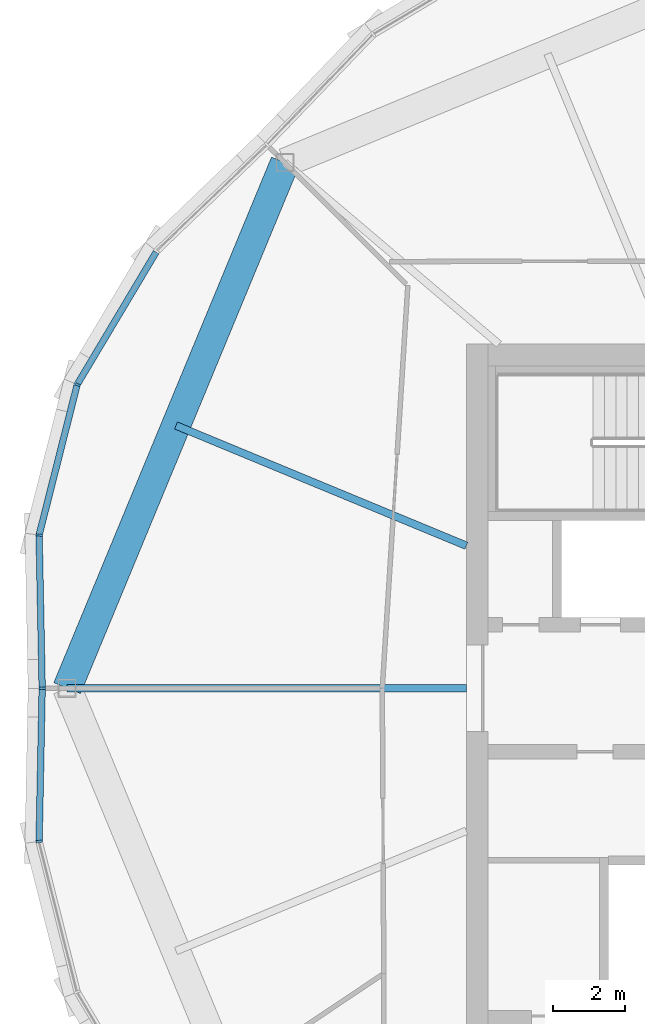
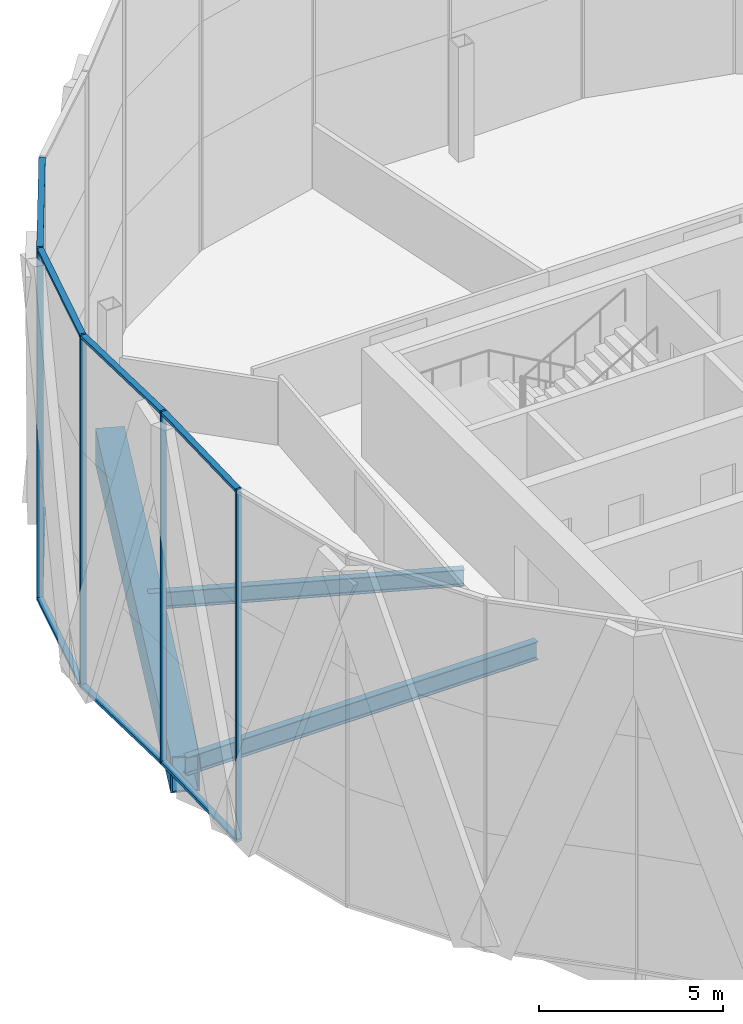
# One storey, part 5 of 25: 12 members, 3 beams, 2 elements without a shape of their own.
"""IFC4 building model written with IfcOpenShell, lengths in metres."""

from ifc_helpers import new_model, si_unit, direction, frame, origin, origin_2d, place, context, subcontext, project, spatial, rectangle, hollow_rectangle, i_section, extrude, material, material_profile, profile_set, type_object, element, aggregate, save


model = new_model("IFC4")

# Units and contexts
model_context = context("Model", 3, precision=1e-05, world=origin(), true_north=direction((0.0, 1.0)))
body_context = subcontext(model_context, "Body", "Model", "MODEL_VIEW")
ifc_project = project(units=[si_unit("LENGTHUNIT", "METRE"), si_unit("AREAUNIT", "SQUARE_METRE"), si_unit("VOLUMEUNIT", "CUBIC_METRE"), si_unit("PLANEANGLEUNIT", "RADIAN"), si_unit("MASSUNIT", "GRAM", prefix="KILO")], contexts=[model_context])

# Site, building, storey
site_placement = place(None, origin())
site = spatial("IfcSite", under=ifc_project, at=site_placement, CompositionType="ELEMENT")
building_placement = place(site_placement, origin())
building = spatial("IfcBuilding", under=site, at=building_placement, Name="Ogive Gate Towers", CompositionType="ELEMENT")
storey_placement = place(building_placement, frame((0.0, 0.0, 196.800048828125)))
storey = spatial("IfcBuildingStorey", under=building, at=storey_placement, Name="L47", CompositionType="ELEMENT", Elevation=196.800048828125)

# Beams
ifc_material_1 = material(Name="Steel SM460", Category="steel")
ifc_material_profile_1 = material_profile(ifc_material_1, hollow_rectangle(XDim=0.800048828125, YDim=1.199951171875, WallThickness=0.050048828125, at=origin_2d()), Name="BX 1200x800x50")
ifc_profile_set_1 = profile_set([ifc_material_profile_1], Name="Steel SM460")
beam_type_1 = type_object("IfcBeamType", Name="Edge girder BX 1200x800x50", PredefinedType="BEAM", material=ifc_profile_set_1)
beam_1_placement = place(storey_placement, frame((-50.509765625, 14.509765625, -0.900146484375), z_axis=(-0.38268953008, -0.923877006731, 0.0), x_axis=(0.923877006731, -0.38268953008, 0.0)))
element("IfcBeam", 1, at=beam_1_placement, inside=storey, type_object=beam_type_1, Name="T1/L47/SBM023", PredefinedType="BEAM", context=body_context, shape_type="SweptSolid", body=[
    extrude(hollow_rectangle(XDim=0.800048828125, YDim=1.199951171875, WallThickness=0.050048828125, at=origin_2d()), origin(), (0.0, 0.0, 1.0), 15.705322265625),
])
ifc_material_2 = material(Name="Steel SM355", Category="steel")
ifc_material_profile_2 = material_profile(ifc_material_2, i_section(OverallWidth=0.2099609375, OverallDepth=0.550048828125, WebThickness=0.010986328125, FlangeThickness=0.01708984375, FilletRadius=0.02392578125, at=origin_2d()), Name="IPE 550")
ifc_profile_set_2 = profile_set([ifc_material_profile_2], Name="Steel SM355")
beam_type_2 = type_object("IfcBeamType", Name="Radial floor beam IPE 550", PredefinedType="BEAM", material=ifc_profile_set_2)
beam_2_placement = place(storey_placement, frame((-45.5, 3.93505859375, -0.574951171875), z_axis=(-0.92388169199, 0.382678218882, 0.0), x_axis=(-0.382678218882, -0.92388169199, 0.0)))
element("IfcBeam", 2, at=beam_2_placement, inside=storey, type_object=beam_type_2, Name="T1/L47/SBM014", PredefinedType="BEAM", context=body_context, shape_type="SweptSolid", body=[
    extrude(i_section(OverallWidth=0.2099609375, OverallDepth=0.550048828125, WebThickness=0.010986328125, FlangeThickness=0.01708984375, FilletRadius=0.02392578125, at=origin_2d()), origin(), (0.0, 0.0, 1.0), 8.67529296875),
])
ifc_material_profile_3 = material_profile(ifc_material_2, i_section(OverallWidth=0.219970703125, OverallDepth=0.60009765625, WebThickness=0.011962890625, FlangeThickness=0.01904296875, FilletRadius=0.02392578125, at=origin_2d()), Name="IPE 600")
ifc_profile_set_3 = profile_set([ifc_material_profile_3], Name="Steel SM355")
beam_type_3 = type_object("IfcBeamType", Name="Radial floor beam IPE 600", PredefinedType="BEAM", material=ifc_profile_set_3)
beam_3_placement = place(storey_placement, frame((-45.5, 0.0, -0.60009765625), z_axis=(-1.0, 0.0, 0.0), x_axis=(0.0, -1.0, 0.0)))
element("IfcBeam", 3, at=beam_3_placement, inside=storey, type_object=beam_type_3, Name="T1/L47/SBM015", PredefinedType="BEAM", context=body_context, shape_type="SweptSolid", body=[
    extrude(i_section(OverallWidth=0.219970703125, OverallDepth=0.60009765625, WebThickness=0.011962890625, FlangeThickness=0.01904296875, FilletRadius=0.02392578125, at=origin_2d()), origin(), (0.0, 0.0, 1.0), 11.02001953125),
])

# Curtain wall, members
ifc_material_3 = material(Name="Pale metal aluminium", Category="aluminium")
curtain_wall_type = type_object("IfcCurtainWallType", Name="Tower unitised wall, high zone", PredefinedType="NOTDEFINED", material=ifc_material_3)
curtain_wall_1_placement = place(storey_placement, origin())
curtain_wall_1 = element("IfcCurtainWall", 4, at=curtain_wall_1_placement, inside=storey, type_object=curtain_wall_type, Name="CW2 T1 ECW04", PredefinedType="NOTDEFINED")
ifc_material_profile_4 = material_profile(ifc_material_3, rectangle(XDim=0.179931640625, YDim=0.06005859375, at=origin_2d()), Name="60 x 180 aluminium box")
ifc_profile_set_4 = profile_set([ifc_material_profile_4], Name="Pale metal aluminium")
member_type_1 = type_object("IfcMemberType", Name="Tower unitised wall, high zone mullion 60 x 180", PredefinedType="MULLION", material=ifc_profile_set_4)
member_1_placement = place(storey_placement, frame((-56.2431640625, 8.385009765625, -0.300048828125), z_axis=(0.0, 0.0, 1.0), x_axis=(-0.923879532511, 0.382683432365, 0.0)))
member_1 = element("IfcMember", 5, at=member_1_placement, type_object=member_type_1, Name="CW2 mullion", PredefinedType="MULLION", context=body_context, shape_type="SweptSolid", body=[
    extrude(rectangle(XDim=0.179931640625, YDim=0.06005859375, at=origin_2d()), origin(), (0.0, 0.0, 1.0), 11.699951171875),
])
member_2_placement = place(storey_placement, frame((-57.294921875, 4.228271484375, -0.300048828125), z_axis=(0.0, 0.0, 1.0), x_axis=(-0.993522366877, 0.113636730484, 0.0)))
member_2 = element("IfcMember", 6, at=member_2_placement, type_object=member_type_1, Name="CW2 mullion", PredefinedType="MULLION", context=body_context, shape_type="SweptSolid", body=[
    extrude(rectangle(XDim=0.179931640625, YDim=0.06005859375, at=origin_2d()), origin(), (0.0, 0.0, 1.0), 11.699951171875),
])
member_3_placement = place(storey_placement, frame((-57.2099609375, 0.000244140625, -0.300048828125), z_axis=(0.0, 0.0, 1.0), x_axis=(-0.999798928628, -0.020052489003, 0.0)))
member_3 = element("IfcMember", 7, at=member_3_placement, type_object=member_type_1, Name="CW2 mullion", PredefinedType="MULLION", context=body_context, shape_type="SweptSolid", body=[
    extrude(rectangle(XDim=0.179931640625, YDim=0.06005859375, at=origin_2d()), origin(), (0.0, 0.0, 1.0), 11.699951171875),
])

# Curtain wall, member
curtain_wall_2_placement = place(storey_placement, origin())
curtain_wall_2 = element("IfcCurtainWall", 8, at=curtain_wall_2_placement, inside=storey, type_object=curtain_wall_type, Name="CW2 T1 ECW05", PredefinedType="NOTDEFINED")
member_4_placement = place(storey_placement, frame((-57.294921875, -4.228271484375, -0.300048828125), z_axis=(0.0, 0.0, 1.0), x_axis=(-0.993522366877, -0.113636730484, 0.0)))
member_4 = element("IfcMember", 9, at=member_4_placement, type_object=member_type_1, Name="CW2 mullion", PredefinedType="MULLION", context=body_context, shape_type="SweptSolid", body=[
    extrude(rectangle(XDim=0.179931640625, YDim=0.06005859375, at=origin_2d()), origin(), (0.0, 0.0, 1.0), 11.699951171875),
])

# Member
ifc_material_profile_5 = material_profile(ifc_material_3, rectangle(XDim=0.179931640625, YDim=0.10009765625, at=origin_2d()), Name="100 x 180 aluminium box")
ifc_profile_set_5 = profile_set([ifc_material_profile_5], Name="Pale metal aluminium")
member_type_2 = type_object("IfcMemberType", Name="Tower unitised wall, high zone transom 100 x 180", PredefinedType="USERDEFINED", material=ifc_profile_set_5)
member_5_placement = place(storey_placement, frame((-54.062255859375, 12.043212890625, 11.349853515625), z_axis=(-0.512057991899, -0.858950879232, 0.0), x_axis=(0.858950879232, -0.512057991899, 0.0)))
member_5 = element("IfcMember", 10, at=member_5_placement, type_object=member_type_2, Name="CW2 transom", ObjectType="TRANSOM", PredefinedType="USERDEFINED", context=body_context, shape_type="SweptSolid", body=[
    extrude(rectangle(XDim=0.179931640625, YDim=0.10009765625, at=origin_2d()), origin(), (0.0, 0.0, 1.0), 4.23046875),
])

member_6_placement = place(storey_placement, frame((-54.062255859375, 12.043212890625, -0.25), z_axis=(-0.512057991899, -0.858950879232, 0.0), x_axis=(0.858950879232, -0.512057991899, 0.0)))
member_6 = element("IfcMember", 11, at=member_6_placement, type_object=member_type_2, Name="CW2 transom", ObjectType="TRANSOM", PredefinedType="USERDEFINED", context=body_context, shape_type="SweptSolid", body=[
    extrude(rectangle(XDim=0.179931640625, YDim=0.10009765625, at=origin_2d()), origin(), (0.0, 0.0, 1.0), 4.23046875),
])

member_7_placement = place(storey_placement, frame((-56.25, 8.357421875, 11.349853515625), z_axis=(-0.245250248559, -0.969459806068, 0.0), x_axis=(0.969459806068, -0.245250248559, 0.0)))
member_7 = element("IfcMember", 12, at=member_7_placement, type_object=member_type_2, Name="CW2 transom", ObjectType="TRANSOM", PredefinedType="USERDEFINED", context=body_context, shape_type="SweptSolid", body=[
    extrude(rectangle(XDim=0.179931640625, YDim=0.10009765625, at=origin_2d()), origin(), (0.0, 0.0, 1.0), 4.230712890625),
])

member_8_placement = place(storey_placement, frame((-56.25, 8.357421875, -0.25), z_axis=(-0.245250248559, -0.969459806068, 0.0), x_axis=(0.969459806068, -0.245250248559, 0.0)))
member_8 = element("IfcMember", 13, at=member_8_placement, type_object=member_type_2, Name="CW2 transom", ObjectType="TRANSOM", PredefinedType="USERDEFINED", context=body_context, shape_type="SweptSolid", body=[
    extrude(rectangle(XDim=0.179931640625, YDim=0.10009765625, at=origin_2d()), origin(), (0.0, 0.0, 1.0), 4.230712890625),
])

member_9_placement = place(storey_placement, frame((-57.294189453125, 4.199462890625, 11.349853515625), z_axis=(0.020022921839, -0.999799521205, 0.0), x_axis=(0.999799521205, 0.020022921839, 0.0)))
member_9 = element("IfcMember", 14, at=member_9_placement, type_object=member_type_2, Name="CW2 transom", ObjectType="TRANSOM", PredefinedType="USERDEFINED", context=body_context, shape_type="SweptSolid", body=[
    extrude(rectangle(XDim=0.179931640625, YDim=0.10009765625, at=origin_2d()), origin(), (0.0, 0.0, 1.0), 4.169921875),
])

member_10_placement = place(storey_placement, frame((-57.294189453125, 4.199462890625, -0.25), z_axis=(0.020022921839, -0.999799521205, 0.0), x_axis=(0.999799521205, 0.020022921839, 0.0)))
member_10 = element("IfcMember", 15, at=member_10_placement, type_object=member_type_2, Name="CW2 transom", ObjectType="TRANSOM", PredefinedType="USERDEFINED", context=body_context, shape_type="SweptSolid", body=[
    extrude(rectangle(XDim=0.179931640625, YDim=0.10009765625, at=origin_2d()), origin(), (0.0, 0.0, 1.0), 4.169921875),
])

aggregate(curtain_wall_1, [member_1, member_5, member_6, member_2, member_7, member_8, member_3, member_9, member_10])

member_11_placement = place(storey_placement, frame((-57.210693359375, -0.0302734375, 11.349853515625), z_axis=(-0.020022921839, -0.999799521205, 0.0), x_axis=(0.999799521205, -0.020022921839, 0.0)))
member_11 = element("IfcMember", 16, at=member_11_placement, type_object=member_type_2, Name="CW2 transom", ObjectType="TRANSOM", PredefinedType="USERDEFINED", context=body_context, shape_type="SweptSolid", body=[
    extrude(rectangle(XDim=0.179931640625, YDim=0.10009765625, at=origin_2d()), origin(), (0.0, 0.0, 1.0), 4.169921875),
])

member_12_placement = place(storey_placement, frame((-57.210693359375, -0.0302734375, -0.25), z_axis=(-0.020022921839, -0.999799521205, 0.0), x_axis=(0.999799521205, -0.020022921839, 0.0)))
member_12 = element("IfcMember", 17, at=member_12_placement, type_object=member_type_2, Name="CW2 transom", ObjectType="TRANSOM", PredefinedType="USERDEFINED", context=body_context, shape_type="SweptSolid", body=[
    extrude(rectangle(XDim=0.179931640625, YDim=0.10009765625, at=origin_2d()), origin(), (0.0, 0.0, 1.0), 4.169921875),
])

aggregate(curtain_wall_2, [member_4, member_11, member_12])

save(model, "model.ifc")
